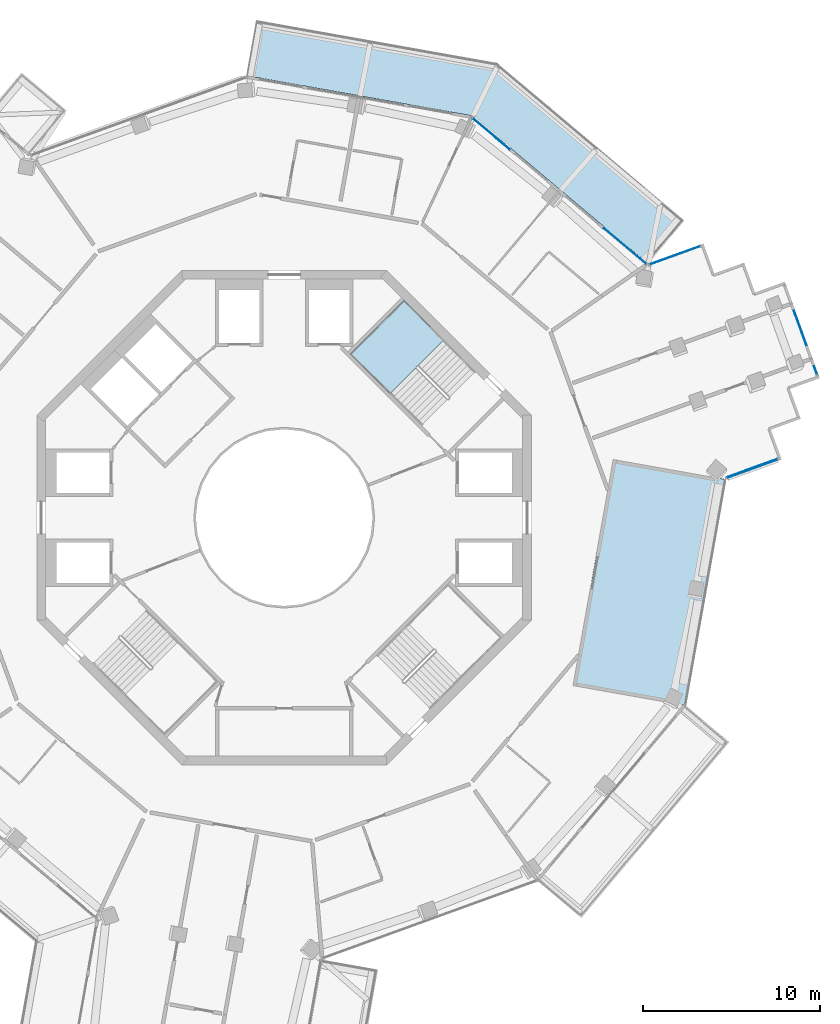
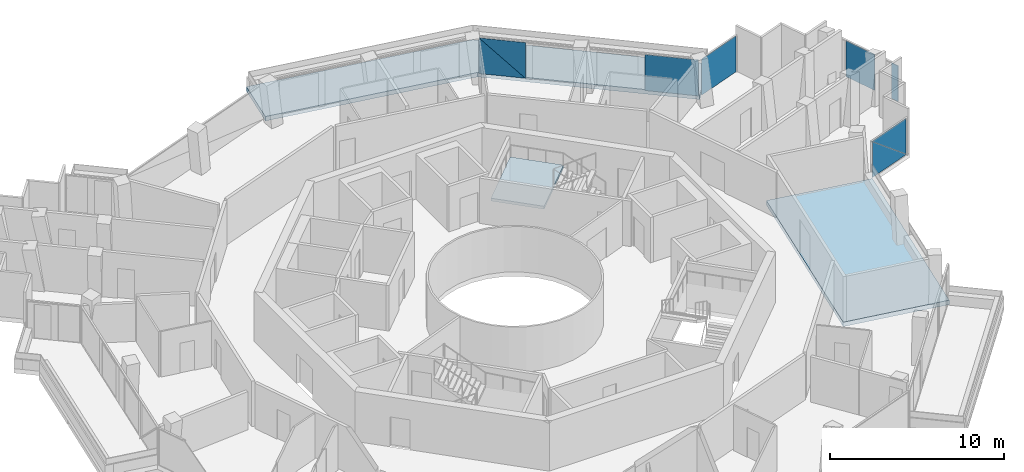
# One storey, part 13 of 22: 8 plates, 3 slabs, 5 elements without a shape of their own.
"""IFC4 building model written with IfcOpenShell, lengths in metres."""

from ifc_helpers import new_model, si_unit, direction, frame, origin, origin_2d, place, context, subcontext, project, spatial, polyline, rectangle, outline, extrude, material, layer, layer_set, type_object, element, aggregate, save


model = new_model("IFC4")

# Units and contexts
model_context = context("Model", 3, precision=1e-05, world=origin(), true_north=direction((0.0, 1.0)))
body_context = subcontext(model_context, "Body", "Model", "MODEL_VIEW")
ifc_project = project(units=[si_unit("LENGTHUNIT", "METRE"), si_unit("AREAUNIT", "SQUARE_METRE"), si_unit("VOLUMEUNIT", "CUBIC_METRE"), si_unit("PLANEANGLEUNIT", "RADIAN"), si_unit("MASSUNIT", "GRAM", prefix="KILO")], contexts=[model_context])

# Site, building, storey
site_placement = place(None, origin())
site = spatial("IfcSite", under=ifc_project, at=site_placement, CompositionType="ELEMENT")
building_placement = place(site_placement, origin())
building = spatial("IfcBuilding", under=site, at=building_placement, Name="Verdalira Terraces Hotel", CompositionType="ELEMENT")
storey_placement = place(building_placement, frame((0.0, 0.0, 237.5)))
storey = spatial("IfcBuildingStorey", under=building, at=storey_placement, Name="L58", CompositionType="ELEMENT", Elevation=237.5)

# Slab
ifc_material_1 = material(Name="Precast concrete C40/50", Category="concrete")
ifc_layer_1 = layer(ifc_material_1, 0.31005859375)
ifc_layer_set_1 = layer_set([ifc_layer_1], Name="Balcony deck 310")
slab_type_1 = type_object("IfcSlabType", Name="Balcony deck 310", PredefinedType="FLOOR", material=ifc_layer_set_1)
slab_1_placement = place(storey_placement, frame((0.0, 0.0, -0.310059)))
element("IfcSlab", 1, at=slab_1_placement, inside=storey, type_object=slab_type_1, Name="Balcony deck", PredefinedType="FLOOR", context=body_context, shape_type="SweptSolid", body=[
    extrude(outline(polyline([(-1.59375, 28.172119), (-2.153809, 25.021484), (10.645508, 22.746338), (20.592285, 14.376221), (22.652588, 16.824463), (12.049805, 25.746826), (-1.59375, 28.172119)])), origin(), (0.0, 0.0, 1.0), 0.310059),
])

# Curtain wall, plates
ifc_material_2 = material(Name="Clear glass", Category="glass")
ifc_layer_2 = layer(ifc_material_2, 0.14990234375)
ifc_layer_set_2 = layer_set([ifc_layer_2], Name="CW1 curtain wall")
curtain_wall_type_1 = type_object("IfcCurtainWallType", Name="CW1 curtain wall", PredefinedType="NOTDEFINED", material=ifc_layer_set_2)
curtain_wall_1_placement = place(storey_placement, origin())
curtain_wall_1 = element("IfcCurtainWall", 2, at=curtain_wall_1_placement, inside=storey, type_object=curtain_wall_type_1, Name="CW1 curtain wall L58 edge 39", PredefinedType="NOTDEFINED")
ifc_material_3 = material(Name="Clear glass", Category="glass")
ifc_layer_3 = layer(ifc_material_3, 0.028076171875)
ifc_layer_set_3 = layer_set([ifc_layer_3], Name="CW1 glass unit 28")
plate_type_1 = type_object("IfcPlateType", Name="CW1 glass unit 28", PredefinedType="CURTAIN_PANEL", material=ifc_layer_set_3)
plate_1_placement = place(storey_placement, frame((19.296875, 15.368164, 0.0), z_axis=(0.0, 0.0, 1.0), x_axis=(-0.765146196, 0.643856583, 0.0)))
plate_1 = element("IfcPlate", 3, at=plate_1_placement, type_object=plate_type_1, Name="CW1 glass unit", PredefinedType="CURTAIN_PANEL", context=body_context, shape_type="SweptSolid", body=[
    extrude(rectangle(XDim=3.139893, YDim=0.028076, at=origin_2d()), origin(), (0.0, 0.0, 1.0), 2.524902),
])
plate_2_placement = place(storey_placement, frame((11.712402, 21.731934, 1.262451), z_axis=(0.643856583, 0.765146196, 0.0), x_axis=(-0.765146196, 0.643856583, 0.0)))
plate_2 = element("IfcPlate", 4, at=plate_2_placement, type_object=plate_type_1, Name="CW1 glass unit", PredefinedType="CURTAIN_PANEL", context=body_context, shape_type="SweptSolid", body=[
    extrude(outline(polyline([(-1.369141, -1.262451), (1.369141, -1.262451), (1.369141, 1.262451), (-1.369141, -1.262451)])), origin(), (0.0, 0.0, 1.0), 0.028076),
])
plate_3_placement = place(storey_placement, frame((11.693604, 21.709717, 1.262451), z_axis=(0.643856583, 0.765146196, 0.0), x_axis=(-0.765146196, 0.643856583, 0.0)))
plate_3 = element("IfcPlate", 5, at=plate_3_placement, type_object=plate_type_1, Name="CW1 glass unit", PredefinedType="CURTAIN_PANEL", context=body_context, shape_type="SweptSolid", body=[
    extrude(outline(polyline([(-1.369141, -1.262451), (1.369141, 1.262451), (-1.369141, 1.262451), (-1.369141, -1.262451)])), origin(), (0.0, 0.0, 1.0), 0.028076),
])
aggregate(curtain_wall_1, [plate_1, plate_2, plate_3])

ifc_material_4 = material(Name="Clear glass", Category="glass")
ifc_layer_4 = layer(ifc_material_4, 0.14990234375)
ifc_layer_set_4 = layer_set([ifc_layer_4], Name="CW2 curtain wall")
curtain_wall_type_2 = type_object("IfcCurtainWallType", Name="CW2 curtain wall", PredefinedType="NOTDEFINED", material=ifc_layer_set_4)
curtain_wall_2_placement = place(storey_placement, origin())
curtain_wall_2 = element("IfcCurtainWall", 6, at=curtain_wall_2_placement, inside=storey, type_object=curtain_wall_type_2, Name="CW2 curtain wall L58 edge 28", PredefinedType="NOTDEFINED")
ifc_material_5 = material(Name="Clear glass", Category="glass")
ifc_layer_5 = layer(ifc_material_5, 0.031982421875)
ifc_layer_set_5 = layer_set([ifc_layer_5], Name="CW2 glass unit 32")
plate_type_2 = type_object("IfcPlateType", Name="CW2 glass unit 32", PredefinedType="CURTAIN_PANEL", material=ifc_layer_set_5)
plate_4_placement = place(storey_placement, frame((26.488525, 2.782227, 1.262451), z_axis=(0.340707752, -0.940169255, 0.0), x_axis=(0.940169255, 0.340707752, 0.0)))
plate_4 = element("IfcPlate", 7, at=plate_4_placement, type_object=plate_type_2, Name="CW2 glass unit", PredefinedType="CURTAIN_PANEL", context=body_context, shape_type="SweptSolid", body=[
    extrude(outline(polyline([(-1.523193, -1.262451), (1.523193, -1.262451), (-1.523193, 1.262451), (-1.523193, -1.262451)])), origin(), (0.0, 0.0, 1.0), 0.031982),
])
plate_5_placement = place(storey_placement, frame((26.477295, 2.813232, 1.262451), z_axis=(0.340707752, -0.940169255, 0.0), x_axis=(0.940169255, 0.340707752, 0.0)))
plate_5 = element("IfcPlate", 8, at=plate_5_placement, type_object=plate_type_2, Name="CW2 glass unit", PredefinedType="CURTAIN_PANEL", context=body_context, shape_type="SweptSolid", body=[
    extrude(outline(polyline([(1.523193, -1.262451), (1.523193, 1.262451), (-1.523193, 1.262451), (1.523193, -1.262451)])), origin(), (0.0, 0.0, 1.0), 0.031982),
])
aggregate(curtain_wall_2, [plate_4, plate_5])

# Curtain wall, plate
curtain_wall_3_placement = place(storey_placement, origin())
curtain_wall_3 = element("IfcCurtainWall", 9, at=curtain_wall_3_placement, inside=storey, type_object=curtain_wall_type_2, Name="CW2 curtain wall L58 edge 38", PredefinedType="NOTDEFINED")
plate_6_placement = place(storey_placement, frame((22.115723, 14.848389, 0.0), z_axis=(0.0, 0.0, 1.0), x_axis=(-0.940169255, -0.340707752, 0.0)))
plate_6 = element("IfcPlate", 10, at=plate_6_placement, type_object=plate_type_2, Name="CW2 glass unit", PredefinedType="CURTAIN_PANEL", context=body_context, shape_type="SweptSolid", body=[
    extrude(rectangle(XDim=3.046387, YDim=0.031982, at=origin_2d()), origin(), (0.0, 0.0, 1.0), 2.524902),
])
aggregate(curtain_wall_3, [plate_6])

# Curtain wall, plates
ifc_material_6 = material(Name="Clear glass", Category="glass")
ifc_layer_6 = layer(ifc_material_6, 0.14990234375)
ifc_layer_set_6 = layer_set([ifc_layer_6], Name="CW3 curtain wall")
curtain_wall_type_3 = type_object("IfcCurtainWallType", Name="CW3 curtain wall", PredefinedType="NOTDEFINED", material=ifc_layer_set_6)
curtain_wall_4_placement = place(storey_placement, origin())
curtain_wall_4 = element("IfcCurtainWall", 11, at=curtain_wall_4_placement, inside=storey, type_object=curtain_wall_type_3, Name="CW3 curtain wall L58 edge 33", PredefinedType="NOTDEFINED")
ifc_material_7 = material(Name="Clear glass", Category="glass")
ifc_layer_7 = layer(ifc_material_7, 0.035888671875)
ifc_layer_set_7 = layer_set([ifc_layer_7], Name="CW3 glass unit 36")
plate_type_3 = type_object("IfcPlateType", Name="CW3 glass unit 36", PredefinedType="CURTAIN_PANEL", material=ifc_layer_set_7)
plate_7_placement = place(storey_placement, frame((30.080566, 8.332275, 0.0), z_axis=(0.0, 0.0, 1.0), x_axis=(-0.340707752, 0.940169255, 0.0)))
plate_7 = element("IfcPlate", 12, at=plate_7_placement, type_object=plate_type_3, Name="CW3 glass unit", PredefinedType="CURTAIN_PANEL", context=body_context, shape_type="SweptSolid", body=[
    extrude(rectangle(XDim=0.51001, YDim=0.035889, at=origin_2d()), origin(), (0.0, 0.0, 1.0), 2.524902),
])
plate_8_placement = place(storey_placement, frame((29.195068, 10.775391, 0.0), z_axis=(0.0, 0.0, 1.0), x_axis=(-0.340707752, 0.940169255, 0.0)))
plate_8 = element("IfcPlate", 13, at=plate_8_placement, type_object=plate_type_3, Name="CW3 glass unit", PredefinedType="CURTAIN_PANEL", context=body_context, shape_type="SweptSolid", body=[
    extrude(rectangle(XDim=2.152588, YDim=0.035889, at=origin_2d()), origin(), (0.0, 0.0, 1.0), 2.524902),
])
aggregate(curtain_wall_4, [plate_7, plate_8])

# Stair, slab
ifc_material_8 = material(Name="Concrete C40", Category="concrete")
stair_type = type_object("IfcStairType", Name="Core stair 20 risers 2100 mm wide", PredefinedType="HALF_TURN_STAIR", material=ifc_material_8)
stair_placement = place(storey_placement, origin())
stair = element("IfcStair", 14, at=stair_placement, inside=storey, type_object=stair_type, Name="L58 Exit stair ST1", PredefinedType="HALF_TURN_STAIR")
ifc_material_9 = material(Name="Concrete C40", Category="concrete")
ifc_layer_8 = layer(ifc_material_9, 0.199951171875)
ifc_layer_set_8 = layer_set([ifc_layer_8], Name="Core stair landing 200 mm")
slab_type_2 = type_object("IfcSlabType", Name="Core stair landing 200 mm", PredefinedType="LANDING", material=ifc_layer_set_8)
slab_2_placement = place(storey_placement, frame((0.0, 0.0, 1.550049)))
slab_2 = element("IfcSlab", 15, at=slab_2_placement, type_object=slab_type_2, Name="ST1 landing 1", PredefinedType="LANDING", context=body_context, shape_type="SweptSolid", body=[
    extrude(outline(polyline([(9.037109, 10.054688), (6.78833, 12.303711), (3.747559, 9.263184), (5.996582, 7.01416), (9.037109, 10.054688)])), origin(), (0.0, 0.0, 1.0), 0.199951),
])
aggregate(stair, [slab_2])

# Slab
ifc_material_10 = material(Name="Concrete C40", Category="concrete")
ifc_layer_9 = layer(ifc_material_10, 0.31005859375)
ifc_layer_set_9 = layer_set([ifc_layer_9], Name="Loggia floor deck 310 C40")
slab_type_3 = type_object("IfcSlabType", Name="Loggia floor deck 310 C40", PredefinedType="FLOOR", material=ifc_layer_set_9)
slab_3_placement = place(storey_placement, frame((0.0, 0.0, -0.310059)))
element("IfcSlab", 16, at=slab_3_placement, inside=storey, type_object=slab_type_3, Name="Loggia deck L58", PredefinedType="FLOOR", context=body_context, shape_type="SweptSolid", body=[
    extrude(outline(polyline([(18.621826, 3.291504), (16.34668, -9.507812), (22.746094, -10.645508), (24.809814, 0.963379), (25.021484, 2.153809), (18.621826, 3.291504)])), origin(), (0.0, 0.0, 1.0), 0.310059),
])

save(model, "model.ifc")
